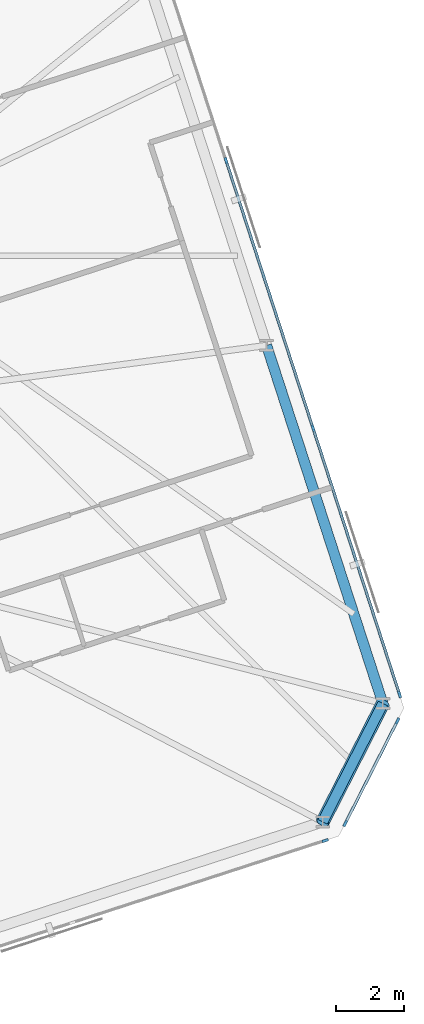
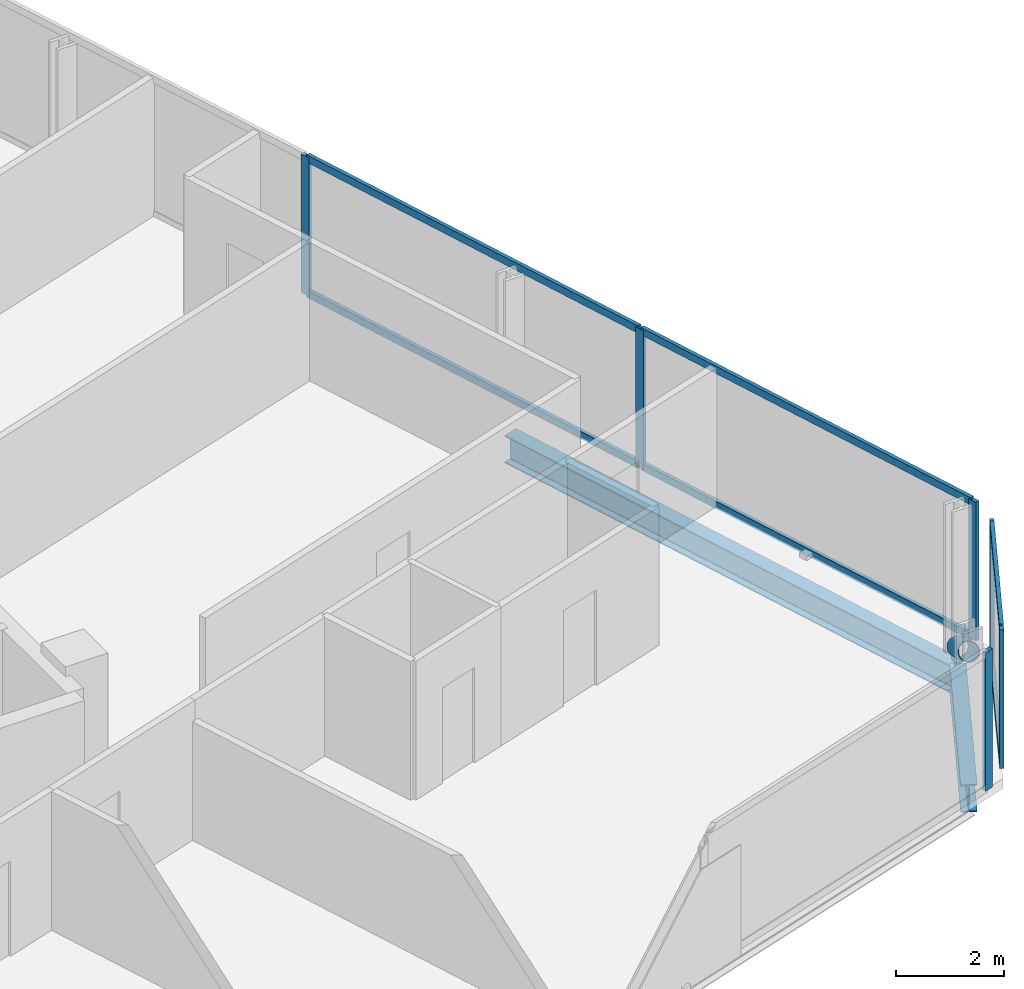
# One storey, part 11 of 19: 13 members, 2 beams, 3 elements without a shape of their own.
"""IFC4 building model written with IfcOpenShell, lengths in metres."""

from ifc_helpers import new_model, si_unit, direction, frame, origin, origin_2d, place, context, subcontext, project, spatial, rectangle, hollow_circle, i_section, extrude, material, material_profile, profile_set, type_object, element, aggregate, save


model = new_model("IFC4")

# Units and contexts
model_context = context("Model", 3, precision=1e-05, world=origin(), true_north=direction((0.0, 1.0)))
body_context = subcontext(model_context, "Body", "Model", "MODEL_VIEW")
ifc_project = project(units=[si_unit("LENGTHUNIT", "METRE"), si_unit("AREAUNIT", "SQUARE_METRE"), si_unit("VOLUMEUNIT", "CUBIC_METRE"), si_unit("PLANEANGLEUNIT", "RADIAN"), si_unit("MASSUNIT", "GRAM", prefix="KILO")], contexts=[model_context])

# Site, building, storey
site_placement = place(None, origin())
site = spatial("IfcSite", under=ifc_project, at=site_placement, CompositionType="ELEMENT")
building_placement = place(site_placement, origin())
building = spatial("IfcBuilding", under=site, at=building_placement, Name="Menara Jurai Vektor", CompositionType="ELEMENT")
storey_placement = place(building_placement, frame((0.0, 0.0, 234.35009765625)))
storey = spatial("IfcBuildingStorey", under=building, at=storey_placement, Name="L62", CompositionType="ELEMENT", Elevation=234.35009765625)

# Curtain wall, member
ifc_material_1 = material(Name="Anodised Pale Aluminium & Low-E Double Glazing", Category="aluminium")
curtain_wall_type = type_object("IfcCurtainWallType", Name="CW-BLK4", PredefinedType="NOTDEFINED", material=ifc_material_1)
curtain_wall_1_placement = place(storey_placement, origin())
curtain_wall_1 = element("IfcCurtainWall", 1, at=curtain_wall_1_placement, inside=storey, type_object=curtain_wall_type, Name="Unitised Curtain Wall L62 F01", PredefinedType="NOTDEFINED")
ifc_material_2 = material(Name="Anodised Pale Aluminium Mullion", Category="aluminium")
ifc_material_profile_1 = material_profile(ifc_material_2, rectangle(XDim=0.080078125, YDim=0.18994140625, at=origin_2d()), Name="ALU MUL 80x190")
ifc_profile_set_1 = profile_set([ifc_material_profile_1], Name="Anodised Pale Aluminium Mullion")
member_type_1 = type_object("IfcMemberType", Name="CW-BLK4-MUL", PredefinedType="MULLION", material=ifc_profile_set_1)
member_1_placement = place(storey_placement, frame((29.810546875, -12.698486328125, 0.0), z_axis=(0.0, 0.0, 1.0), x_axis=(-0.309017344167, 0.951056402641, 0.0)))
member_1 = element("IfcMember", 2, at=member_1_placement, type_object=member_type_1, Name="CW-04 mullion 8", PredefinedType="MULLION", context=body_context, shape_type="SweptSolid", body=[
    extrude(rectangle(XDim=0.080078125, YDim=0.18994140625, at=origin_2d()), origin(), (0.0, 0.0, 1.0), 3.125),
])
aggregate(curtain_wall_1, [member_1])

# Curtain wall, members
curtain_wall_2_placement = place(storey_placement, origin())
curtain_wall_2 = element("IfcCurtainWall", 3, at=curtain_wall_2_placement, inside=storey, type_object=curtain_wall_type, Name="Unitised Curtain Wall L62 F02", PredefinedType="NOTDEFINED")
member_2_placement = place(storey_placement, frame((30.400634765625, -12.194580078125, 0.0), z_axis=(0.0, 0.0, 1.0), x_axis=(-0.89100750243, 0.453988579828, 0.0)))
member_2 = element("IfcMember", 4, at=member_2_placement, type_object=member_type_1, Name="CW-04 mullion 1", PredefinedType="MULLION", context=body_context, shape_type="SweptSolid", body=[
    extrude(rectangle(XDim=0.080078125, YDim=0.18994140625, at=origin_2d()), origin(), (0.0, 0.0, 1.0), 3.125),
])
member_3_placement = place(storey_placement, frame((31.9453125, -9.16259765625, 0.0), z_axis=(0.0, 0.0, 1.0), x_axis=(-0.89100750243, 0.453988579828, 0.0)))
member_3 = element("IfcMember", 5, at=member_3_placement, type_object=member_type_1, Name="CW-04 mullion 2", PredefinedType="MULLION", context=body_context, shape_type="SweptSolid", body=[
    extrude(rectangle(XDim=0.080078125, YDim=0.18994140625, at=origin_2d()), origin(), (0.0, 0.0, 1.0), 3.125),
])

curtain_wall_3_placement = place(storey_placement, origin())
curtain_wall_3 = element("IfcCurtainWall", 6, at=curtain_wall_3_placement, inside=storey, type_object=curtain_wall_type, Name="Unitised Curtain Wall L62 F03", PredefinedType="NOTDEFINED")
member_4_placement = place(storey_placement, frame((32.00634765625, -8.388916015625, 0.0), z_axis=(0.0, 0.0, 1.0), x_axis=(-0.95105668295, -0.309016481464, 0.0)))
member_4 = element("IfcMember", 7, at=member_4_placement, type_object=member_type_1, Name="CW-04 mullion 1", PredefinedType="MULLION", context=body_context, shape_type="SweptSolid", body=[
    extrude(rectangle(XDim=0.080078125, YDim=0.18994140625, at=origin_2d()), origin(), (0.0, 0.0, 1.0), 3.125),
])
member_5_placement = place(storey_placement, frame((29.45068359375, -0.523681640625, 0.0), z_axis=(0.0, 0.0, 1.0), x_axis=(-0.95105668295, -0.309016481464, 0.0)))
member_5 = element("IfcMember", 8, at=member_5_placement, type_object=member_type_1, Name="CW-04 mullion 2", PredefinedType="MULLION", context=body_context, shape_type="SweptSolid", body=[
    extrude(rectangle(XDim=0.080078125, YDim=0.18994140625, at=origin_2d()), origin(), (0.0, 0.0, 1.0), 3.125),
])
member_6_placement = place(storey_placement, frame((26.8828125, 7.379638671875, 0.0), z_axis=(0.0, 0.0, 1.0), x_axis=(-0.95105668295, -0.309016481464, 0.0)))
member_6 = element("IfcMember", 9, at=member_6_placement, type_object=member_type_1, Name="CW-04 mullion 3", PredefinedType="MULLION", context=body_context, shape_type="SweptSolid", body=[
    extrude(rectangle(XDim=0.080078125, YDim=0.18994140625, at=origin_2d()), origin(), (0.0, 0.0, 1.0), 3.125),
])

# Member
ifc_material_3 = material(Name="Anodised Pale Aluminium Transom", Category="aluminium")
ifc_material_profile_2 = material_profile(ifc_material_3, rectangle(XDim=0.080078125, YDim=0.1650390625, at=origin_2d()), Name="ALU TRN 80x165")
ifc_profile_set_2 = profile_set([ifc_material_profile_2], Name="Anodised Pale Aluminium Transom")
member_type_2 = type_object("IfcMemberType", Name="CW-BLK4-TRN", PredefinedType="USERDEFINED", material=ifc_profile_set_2)
member_7_placement = place(storey_placement, frame((30.418701171875, -12.158935546875, 0.039794921875), z_axis=(0.453989617444, 0.89100697374, 0.0), x_axis=(-0.89100697374, 0.453989617444, 0.0)))
member_7 = element("IfcMember", 10, at=member_7_placement, type_object=member_type_2, Name="CW-04 transom 1.1", ObjectType="TRANSOM", PredefinedType="USERDEFINED", context=body_context, shape_type="SweptSolid", body=[
    extrude(rectangle(XDim=0.080078125, YDim=0.1650390625, at=origin_2d()), origin(), (0.0, 0.0, 1.0), 3.32275390625),
])

member_8_placement = place(storey_placement, frame((30.418701171875, -12.158935546875, 3.0849609375), z_axis=(0.453989617444, 0.89100697374, 0.0), x_axis=(-0.89100697374, 0.453989617444, 0.0)))
member_8 = element("IfcMember", 11, at=member_8_placement, type_object=member_type_2, Name="CW-04 transom 1.2", ObjectType="TRANSOM", PredefinedType="USERDEFINED", context=body_context, shape_type="SweptSolid", body=[
    extrude(rectangle(XDim=0.080078125, YDim=0.1650390625, at=origin_2d()), origin(), (0.0, 0.0, 1.0), 3.32275390625),
])

aggregate(curtain_wall_2, [member_2, member_3, member_7, member_8])

member_9_placement = place(storey_placement, frame((31.993896484375, -8.350830078125, 0.039794921875), z_axis=(-0.309010577384, 0.951058601278, 0.0), x_axis=(-0.951058601278, -0.309010577384, 0.0)))
member_9 = element("IfcMember", 12, at=member_9_placement, type_object=member_type_2, Name="CW-04 transom 1.1", ObjectType="TRANSOM", PredefinedType="USERDEFINED", context=body_context, shape_type="SweptSolid", body=[
    extrude(rectangle(XDim=0.080078125, YDim=0.1650390625, at=origin_2d()), origin(), (0.0, 0.0, 1.0), 8.18994140625),
])

member_10_placement = place(storey_placement, frame((31.993896484375, -8.350830078125, 3.0849609375), z_axis=(-0.309010577384, 0.951058601278, 0.0), x_axis=(-0.951058601278, -0.309010577384, 0.0)))
member_10 = element("IfcMember", 13, at=member_10_placement, type_object=member_type_2, Name="CW-04 transom 1.2", ObjectType="TRANSOM", PredefinedType="USERDEFINED", context=body_context, shape_type="SweptSolid", body=[
    extrude(rectangle(XDim=0.080078125, YDim=0.1650390625, at=origin_2d()), origin(), (0.0, 0.0, 1.0), 8.18994140625),
])

member_11_placement = place(storey_placement, frame((29.438232421875, -0.485595703125, 0.039794921875), z_axis=(-0.309018994408, 0.951055866443, 0.0), x_axis=(-0.951055866443, -0.309018994408, 0.0)))
member_11 = element("IfcMember", 14, at=member_11_placement, type_object=member_type_2, Name="CW-04 transom 2.1", ObjectType="TRANSOM", PredefinedType="USERDEFINED", context=body_context, shape_type="SweptSolid", body=[
    extrude(rectangle(XDim=0.080078125, YDim=0.1650390625, at=origin_2d()), origin(), (0.0, 0.0, 1.0), 8.22998046875),
])

member_12_placement = place(storey_placement, frame((29.438232421875, -0.485595703125, 3.0849609375), z_axis=(-0.309018994408, 0.951055866443, 0.0), x_axis=(-0.951055866443, -0.309018994408, 0.0)))
member_12 = element("IfcMember", 15, at=member_12_placement, type_object=member_type_2, Name="CW-04 transom 2.2", ObjectType="TRANSOM", PredefinedType="USERDEFINED", context=body_context, shape_type="SweptSolid", body=[
    extrude(rectangle(XDim=0.080078125, YDim=0.1650390625, at=origin_2d()), origin(), (0.0, 0.0, 1.0), 8.22998046875),
])

aggregate(curtain_wall_3, [member_4, member_5, member_6, member_9, member_10, member_11, member_12])

ifc_material_4 = material(Name="Steel S460", Category="steel")
ifc_material_profile_3 = material_profile(ifc_material_4, hollow_circle(Radius=0.203125, WallThickness=0.01611328125, at=origin_2d()), Name="CHS 406.4x16")
ifc_profile_set_3 = profile_set([ifc_material_profile_3], Name="Steel S460")
member_type_3 = type_object("IfcMemberType", Name="STR-BR-406", PredefinedType="BRACE", material=ifc_profile_set_3)
member_13_placement = place(storey_placement, frame((31.513427734375, -8.652099609375, 0.14990234375), z_axis=(-0.377239531316, -0.740351985533, 0.55638949804), x_axis=(0.891000997215, -0.454001346872, 0.0)))
element("IfcMember", 16, at=member_13_placement, inside=storey, type_object=member_type_3, Name="Exoskeleton Corner Brace L62-1", PredefinedType="BRACE", context=body_context, shape_type="SweptSolid", body=[
    extrude(hollow_circle(Radius=0.203125, WallThickness=0.01611328125, at=origin_2d()), origin(), (0.0, 0.0, 1.0), 4.718017578125),
])

# Beams
ifc_material_5 = material(Name="Steel S355", Category="steel")
ifc_material_profile_4 = material_profile(ifc_material_5, i_section(OverallWidth=0.306884765625, OverallDepth=0.6201171875, WebThickness=0.013916015625, FlangeThickness=0.02392578125, FilletRadius=0.01708984375, at=origin_2d()), Name="UKB 610x305x179")
ifc_profile_set_4 = profile_set([ifc_material_profile_4], Name="Steel S355")
beam_type = type_object("IfcBeamType", Name="STR-SP-610", PredefinedType="SPANDREL", material=ifc_profile_set_4)
beam_1_placement = place(storey_placement, frame((29.7333984375, -12.14501953125, -0.53515625), z_axis=(0.454050785633, 0.890975804423, 0.0), x_axis=(-0.890975804423, 0.454050785633, 0.0)))
element("IfcBeam", 17, at=beam_1_placement, inside=storey, type_object=beam_type, Name="Exoskeleton Spandrel Beam L62-06", PredefinedType="SPANDREL", context=body_context, shape_type="SweptSolid", body=[
    extrude(i_section(OverallWidth=0.306884765625, OverallDepth=0.6201171875, WebThickness=0.013916015625, FlangeThickness=0.02392578125, FilletRadius=0.01708984375, at=origin_2d()), origin(), (0.0, 0.0, 1.0), 3.92041015625),
])
beam_2_placement = place(storey_placement, frame((31.513427734375, -8.652099609375, -0.53515625), z_axis=(-0.309012092614, 0.95105810896, 0.0), x_axis=(-0.95105810896, -0.309012092614, 0.0)))
element("IfcBeam", 18, at=beam_2_placement, inside=storey, type_object=beam_type, Name="Exoskeleton Spandrel Beam L62-07", PredefinedType="SPANDREL", context=body_context, shape_type="SweptSolid", body=[
    extrude(i_section(OverallWidth=0.306884765625, OverallDepth=0.6201171875, WebThickness=0.013916015625, FlangeThickness=0.02392578125, FilletRadius=0.01708984375, at=origin_2d()), origin(), (0.0, 0.0, 1.0), 11.11865234375),
])

save(model, "model.ifc")
